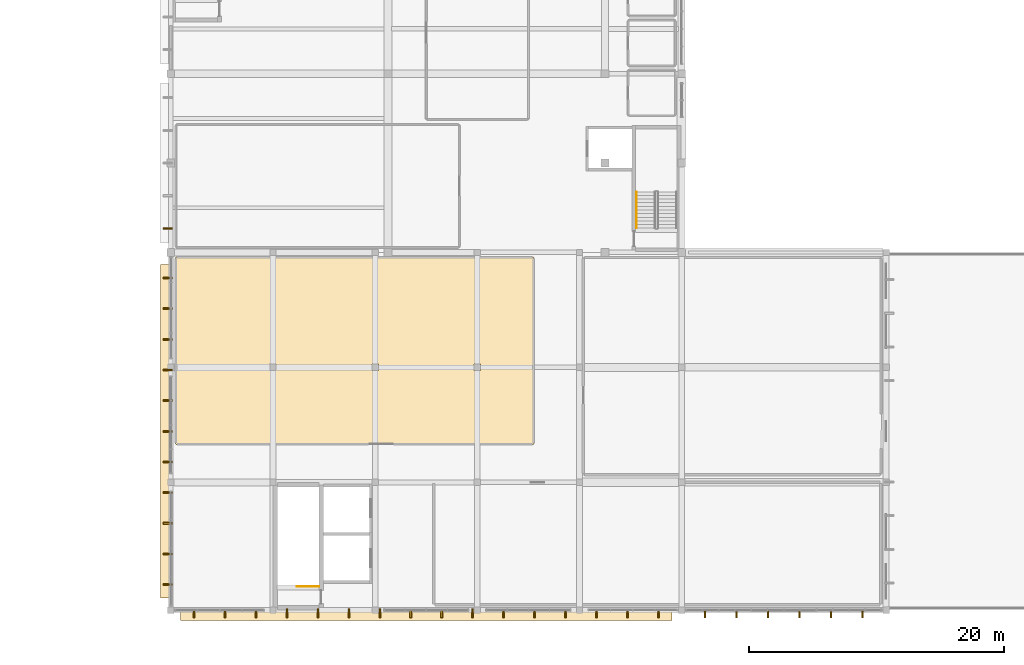
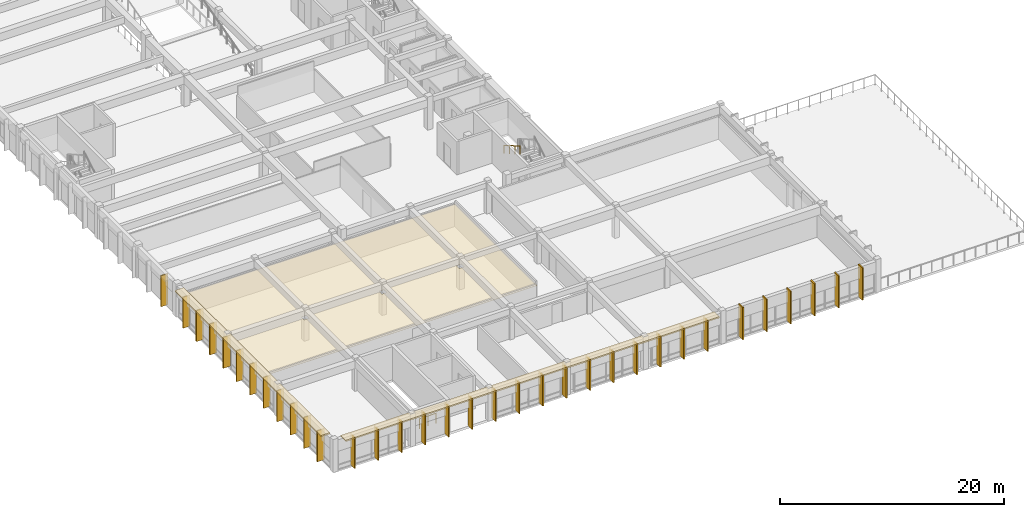
# One storey, part 25 of 33: 37 coverings, 2 railings.
"""IFC4 building model written with IfcOpenShell, lengths in metres."""

from ifc_helpers import new_model, si_unit, direction, frame, origin, origin_2d, place, context, subcontext, project, spatial, polyline, rectangle, circle, outline, extrude, material, layer, layer_set, type_object, element, save


model = new_model("IFC4")

# Units and contexts
model_context = context("Model", 3, precision=1e-05, world=origin(), true_north=direction((0.0, 1.0)))
body_context = subcontext(model_context, "Body", "Model", "MODEL_VIEW")
ifc_project = project(units=[si_unit("LENGTHUNIT", "METRE"), si_unit("AREAUNIT", "SQUARE_METRE"), si_unit("VOLUMEUNIT", "CUBIC_METRE"), si_unit("PLANEANGLEUNIT", "RADIAN"), si_unit("MASSUNIT", "GRAM", prefix="KILO")], contexts=[model_context])

# Site, building, storey
site_placement = place(None, origin())
site = spatial("IfcSite", under=ifc_project, at=site_placement, CompositionType="ELEMENT")
building_placement = place(site_placement, origin())
building = spatial("IfcBuilding", under=site, at=building_placement, Name="Larkveld Mobility Hub", CompositionType="ELEMENT")
storey_placement = place(building_placement, frame((0.0, 0.0, 15.60009765625)))
storey = spatial("IfcBuildingStorey", under=building, at=storey_placement, Name="L04", CompositionType="ELEMENT", Elevation=15.60009765625)

# Coverings
ifc_material_1 = material(Name="Precast concrete C50/60", Category="concrete")
ifc_layer_1 = layer(ifc_material_1, 0.14990234375, Name="Precast concrete C50/60", Category="concrete")
ifc_layer_set_1 = layer_set([ifc_layer_1], Name="Precast concrete C50/60")
covering_type_1 = type_object("IfcCoveringType", Name="COV-QSL-H01", PredefinedType="CLADDING", material=ifc_layer_set_1)
covering_1_placement = place(storey_placement, frame((132.0, -0.340087890625, 3.369873046875), z_axis=(0.0, 0.0, 1.0), x_axis=(1.0, 0.0, 0.0)))
element("IfcCovering", 1, at=covering_1_placement, inside=storey, type_object=covering_type_1, Name="Precast Quebra-Sol Horizontal Sunbreaker QSH-354", PredefinedType="CLADDING", context=body_context, shape_type="SweptSolid", body=[
    extrude(rectangle(XDim=38.5, YDim=0.919921875, at=origin_2d()), origin(), (0.0, 0.0, 1.0), 0.14990234375),
])
covering_2_placement = place(storey_placement, frame((111.659912109375, 14.0, 3.369873046875), z_axis=(0.0, 0.0, 1.0), x_axis=(0.0, -1.0, 0.0)))
element("IfcCovering", 2, at=covering_2_placement, inside=storey, type_object=covering_type_1, Name="Precast Quebra-Sol Horizontal Sunbreaker QSH-385", PredefinedType="CLADDING", context=body_context, shape_type="SweptSolid", body=[
    extrude(rectangle(XDim=26.10009765625, YDim=0.919921875, at=origin_2d()), origin(), (0.0, 0.0, 1.0), 0.14990234375),
])
ifc_layer_2 = layer(ifc_material_1, 0.1201171875, Name="Precast concrete C50/60", Category="concrete")
ifc_layer_set_2 = layer_set([ifc_layer_2], Name="Precast concrete C50/60")
covering_type_2 = type_object("IfcCoveringType", Name="COV-QSL-V01", PredefinedType="CLADDING", material=ifc_layer_set_2)
for number, where, z_axis, x_axis, name in (
    (3, (113.81201171875, -0.239990234375, -0.0205078125), (0.0, 0.0, 1.0), (1.0, 0.0, 0.0), "Precast Quebra-Sol Vertical Fin QSV-355"),
    (4, (116.237060546875, -0.239990234375, -0.0205078125), (0.0, 0.0, 1.0), (1.0, 0.0, 0.0), "Precast Quebra-Sol Vertical Fin QSV-356"),
    (5, (118.662109375, -0.239990234375, -0.0205078125), (0.0, 0.0, 1.0), (1.0, 0.0, 0.0), "Precast Quebra-Sol Vertical Fin QSV-357"),
    (6, (121.0869140625, -0.239990234375, -0.0205078125), (0.0, 0.0, 1.0), (1.0, 0.0, 0.0), "Precast Quebra-Sol Vertical Fin QSV-358"),
    (7, (123.512939453125, -0.239990234375, -0.0205078125), (0.0, 0.0, 1.0), (1.0, 0.0, 0.0), "Precast Quebra-Sol Vertical Fin QSV-359"),
    (8, (125.93798828125, -0.239990234375, -0.0205078125), (0.0, 0.0, 1.0), (1.0, 0.0, 0.0), "Precast Quebra-Sol Vertical Fin QSV-360"),
    (9, (128.363037109375, -0.239990234375, -0.0205078125), (0.0, 0.0, 1.0), (1.0, 0.0, 0.0), "Precast Quebra-Sol Vertical Fin QSV-361"),
    (10, (130.787109375, -0.239990234375, -0.0205078125), (0.0, 0.0, 1.0), (1.0, 0.0, 0.0), "Precast Quebra-Sol Vertical Fin QSV-362"),
    (11, (133.212890625, -0.239990234375, -0.0205078125), (0.0, 0.0, 1.0), (1.0, 0.0, 0.0), "Precast Quebra-Sol Vertical Fin QSV-363"),
    (12, (135.636962890625, -0.239990234375, -0.0205078125), (0.0, 0.0, 1.0), (1.0, 0.0, 0.0), "Precast Quebra-Sol Vertical Fin QSV-364"),
    (13, (138.06201171875, -0.239990234375, -0.0205078125), (0.0, 0.0, 1.0), (1.0, 0.0, 0.0), "Precast Quebra-Sol Vertical Fin QSV-365"),
    (14, (140.488037109375, -0.239990234375, -0.0205078125), (0.0, 0.0, 1.0), (1.0, 0.0, 0.0), "Precast Quebra-Sol Vertical Fin QSV-366"),
    (15, (142.912109375, -0.239990234375, -0.0205078125), (0.0, 0.0, 1.0), (1.0, 0.0, 0.0), "Precast Quebra-Sol Vertical Fin QSV-367"),
    (16, (145.337890625, -0.239990234375, -0.0205078125), (0.0, 0.0, 1.0), (1.0, 0.0, 0.0), "Precast Quebra-Sol Vertical Fin QSV-368"),
    (17, (147.761962890625, -0.239990234375, -0.0205078125), (0.0, 0.0, 1.0), (1.0, 0.0, 0.0), "Precast Quebra-Sol Vertical Fin QSV-369"),
    (18, (150.18798828125, -0.239990234375, -0.0205078125), (0.0, 0.0, 1.0), (1.0, 0.0, 0.0), "Precast Quebra-Sol Vertical Fin QSV-370"),
):
    element("IfcCovering", number, at=place(storey_placement, frame(where, z_axis=z_axis, x_axis=x_axis)), inside=storey, type_object=covering_type_2, Name=name, PredefinedType="CLADDING", context=body_context, shape_type="SweptSolid", body=[
        extrude(rectangle(XDim=0.1201171875, YDim=0.719970703125, at=origin_2d()), origin(), (0.0, 0.0, 1.0), 3.375),
    ])
for number, where, z_axis, x_axis, name in (
    (19, (153.8330078125, -0.239990234375, -0.02001953125), (0.0, 0.0, 1.0), (1.0, 0.0, 0.0), "Precast Quebra-Sol Vertical Fin QSV-371"),
    (20, (156.300048828125, -0.239990234375, -0.02001953125), (0.0, 0.0, 1.0), (1.0, 0.0, 0.0), "Precast Quebra-Sol Vertical Fin QSV-372"),
    (21, (158.76708984375, -0.239990234375, -0.02001953125), (0.0, 0.0, 1.0), (1.0, 0.0, 0.0), "Precast Quebra-Sol Vertical Fin QSV-373"),
    (22, (161.23291015625, -0.239990234375, -0.02001953125), (0.0, 0.0, 1.0), (1.0, 0.0, 0.0), "Precast Quebra-Sol Vertical Fin QSV-374"),
    (23, (163.699951171875, -0.239990234375, -0.02001953125), (0.0, 0.0, 1.0), (1.0, 0.0, 0.0), "Precast Quebra-Sol Vertical Fin QSV-375"),
    (24, (166.1669921875, -0.239990234375, -0.02001953125), (0.0, 0.0, 1.0), (1.0, 0.0, 0.0), "Precast Quebra-Sol Vertical Fin QSV-376"),
):
    element("IfcCovering", number, at=place(storey_placement, frame(where, z_axis=z_axis, x_axis=x_axis)), inside=storey, type_object=covering_type_2, Name=name, PredefinedType="CLADDING", context=body_context, shape_type="SweptSolid", body=[
        extrude(rectangle(XDim=0.1201171875, YDim=0.719970703125, at=origin_2d()), origin(), (0.0, 0.0, 1.0), 3.52001953125),
    ])
for number, where, z_axis, x_axis, name in (
    (25, (111.760009765625, 26.0, -0.0205078125), (0.0, 0.0, 1.0), (0.0, -1.0, 0.0), "Precast Quebra-Sol Vertical Fin QSV-386"),
    (26, (111.760009765625, 23.60009765625, -0.0205078125), (0.0, 0.0, 1.0), (0.0, -1.0, 0.0), "Precast Quebra-Sol Vertical Fin QSV-387"),
    (27, (111.760009765625, 21.199951171875, -0.0205078125), (0.0, 0.0, 1.0), (0.0, -1.0, 0.0), "Precast Quebra-Sol Vertical Fin QSV-388"),
    (28, (111.760009765625, 18.800048828125, -0.0205078125), (0.0, 0.0, 1.0), (0.0, -1.0, 0.0), "Precast Quebra-Sol Vertical Fin QSV-389"),
    (29, (111.760009765625, 16.39990234375, -0.0205078125), (0.0, 0.0, 1.0), (0.0, -1.0, 0.0), "Precast Quebra-Sol Vertical Fin QSV-390"),
    (30, (111.760009765625, 14.0, -0.0205078125), (0.0, 0.0, 1.0), (0.0, -1.0, 0.0), "Precast Quebra-Sol Vertical Fin QSV-391"),
    (31, (111.760009765625, 11.60009765625, -0.0205078125), (0.0, 0.0, 1.0), (0.0, -1.0, 0.0), "Precast Quebra-Sol Vertical Fin QSV-392"),
    (32, (111.760009765625, 9.199951171875, -0.0205078125), (0.0, 0.0, 1.0), (0.0, -1.0, 0.0), "Precast Quebra-Sol Vertical Fin QSV-393"),
    (33, (111.760009765625, 6.800048828125, -0.0205078125), (0.0, 0.0, 1.0), (0.0, -1.0, 0.0), "Precast Quebra-Sol Vertical Fin QSV-394"),
    (34, (111.760009765625, 4.39990234375, -0.0205078125), (0.0, 0.0, 1.0), (0.0, -1.0, 0.0), "Precast Quebra-Sol Vertical Fin QSV-395"),
    (35, (111.760009765625, 2.0, -0.0205078125), (0.0, 0.0, 1.0), (0.0, -1.0, 0.0), "Precast Quebra-Sol Vertical Fin QSV-396"),
    (36, (111.760009765625, 29.8798828125, -0.0205078125), (0.0, 0.0, 1.0), (0.0, -1.0, 0.0), "Precast Quebra-Sol Vertical Fin QSV-550"),
):
    element("IfcCovering", number, at=place(storey_placement, frame(where, z_axis=z_axis, x_axis=x_axis)), inside=storey, type_object=covering_type_2, Name=name, PredefinedType="CLADDING", context=body_context, shape_type="SweptSolid", body=[
        extrude(rectangle(XDim=0.1201171875, YDim=0.719970703125, at=origin_2d()), origin(), (0.0, 0.0, 1.0), 3.375),
    ])
ifc_material_2 = material(Name="Perforated mineral-fibre acoustic ceiling", Category="masonry")
ifc_layer_3 = layer(ifc_material_2, 0.02001953125, Name="Perforated mineral-fibre acoustic ceiling", Category="masonry")
ifc_layer_set_3 = layer_set([ifc_layer_3], Name="Perforated mineral-fibre acoustic ceiling")
covering_type_3 = type_object("IfcCoveringType", Name="CV-CLG-020", PredefinedType="CEILING", material=ifc_layer_set_3)
covering_3_placement = place(storey_placement, frame((0.0, 0.0, 2.329833984375)))
element("IfcCovering", 37, at=covering_3_placement, inside=storey, type_object=covering_type_3, Name="Regional Traffic Incident Command Office Acoustic Ceiling 050", PredefinedType="CEILING", context=body_context, shape_type="SweptSolid", body=[
    extrude(outline(polyline([(112.4169921875, 12.969970703125), (112.4140625, 12.970947265625), (112.410888671875, 12.970947265625), (112.408935546875, 12.971923828125), (112.406005859375, 12.97412109375), (112.403076171875, 12.97509765625), (112.40087890625, 12.97705078125), (112.39892578125, 12.97900390625), (112.37890625, 12.9990234375), (112.376953125, 13.0009765625), (112.375, 13.0029296875), (112.3740234375, 13.006103515625), (112.3720703125, 13.009033203125), (112.37109375, 13.010986328125), (112.37109375, 13.013916015625), (112.3701171875, 13.01708984375), (112.3701171875, 13.02001953125), (112.3701171875, 27.580078125), (112.3701171875, 27.5830078125), (112.37109375, 27.5859375), (112.3720703125, 27.590087890625), (112.373046875, 27.593017578125), (112.3740234375, 27.594970703125), (112.385009765625, 27.613037109375), (112.386962890625, 27.615966796875), (112.388916015625, 27.617919921875), (112.39111328125, 27.6201171875), (112.39306640625, 27.6220703125), (112.39599609375, 27.6240234375), (112.39892578125, 27.625), (112.40087890625, 27.6259765625), (112.404052734375, 27.626953125), (112.406982421875, 27.626953125), (112.410888671875, 27.6279296875), (140.3798828125, 27.6298828125), (140.383056640625, 27.6298828125), (140.385009765625, 27.6298828125), (140.387939453125, 27.62890625), (140.39111328125, 27.6279296875), (140.39306640625, 27.626953125), (140.39501953125, 27.6259765625), (140.4130859375, 27.614990234375), (140.416015625, 27.613037109375), (140.41796875, 27.611083984375), (140.419921875, 27.60888671875), (140.422119140625, 27.60693359375), (140.424072265625, 27.60400390625), (140.425048828125, 27.60107421875), (140.426025390625, 27.59912109375), (140.427001953125, 27.595947265625), (140.427001953125, 27.593017578125), (140.427978515625, 27.589111328125), (140.429931640625, 13.02001953125), (140.429931640625, 13.01708984375), (140.429931640625, 13.014892578125), (140.428955078125, 13.011962890625), (140.427978515625, 13.009033203125), (140.427001953125, 13.007080078125), (140.426025390625, 13.0048828125), (140.4150390625, 12.987060546875), (140.4130859375, 12.98388671875), (140.410888671875, 12.98193359375), (140.408935546875, 12.97998046875), (140.406982421875, 12.97802734375), (140.404052734375, 12.97607421875), (140.40087890625, 12.97509765625), (140.39892578125, 12.97412109375), (140.39599609375, 12.972900390625), (140.39306640625, 12.972900390625), (140.388916015625, 12.971923828125), (112.419921875, 12.969970703125), (112.4169921875, 12.969970703125)]), holes=[polyline([(119.7451171875, 18.7451171875), (120.2548828125, 18.7451171875), (120.2548828125, 19.2548828125), (119.7451171875, 19.2548828125), (119.7451171875, 18.7451171875)]), polyline([(127.7451171875, 19.2548828125), (127.7451171875, 18.7451171875), (128.2548828125, 18.7451171875), (128.2548828125, 19.2548828125), (127.7451171875, 19.2548828125)]), polyline([(135.7451171875, 19.2548828125), (135.7451171875, 18.7451171875), (136.2548828125, 18.7451171875), (136.2548828125, 19.2548828125), (135.7451171875, 19.2548828125)])]), origin(), (0.0, 0.0, 1.0), 0.02001953125),
])

# Railings
ifc_material_3 = material(Name="Galvanized Steel S355JR balustrade", Category="steel")
railing_type_1 = type_object("IfcRailingType", Name="RL-GRD-1100", PredefinedType="GUARDRAIL", material=ifc_material_3)
railing_1_placement = place(storey_placement, frame((123.60009765625, 1.85009765625, 0.0)))
element("IfcRailing", 38, at=railing_1_placement, inside=storey, type_object=railing_type_1, Name="L04 ST4 top well guard 1", PredefinedType="GUARDRAIL", context=body_context, shape_type="SweptSolid", body=[
    extrude(circle(Radius=0.02392578125, at=origin_2d()), frame((0.0, 0.0, 1.076171875), z_axis=(-1.0, 0.0, 0.0), x_axis=(0.0, -1.0, 0.0)), (0.0, 0.0, 1.0), 1.7001953125),
    extrude(circle(Radius=0.02099609375, at=origin_2d()), origin(), (0.0, 0.0, 1.0), 1.052001953125),
    extrude(circle(Radius=0.02099609375, at=origin_2d()), frame((-0.85009765625, 0.0, 0.0)), (0.0, 0.0, 1.0), 1.052001953125),
    extrude(circle(Radius=0.02099609375, at=origin_2d()), frame((-1.7001953125, 0.0, 0.0)), (0.0, 0.0, 1.0), 1.052001953125),
])
ifc_material_4 = material(Name="Brushed Steel S355JR tubular handrail", Category="steel")
railing_type_2 = type_object("IfcRailingType", Name="RL-HND-0900", PredefinedType="HANDRAIL", material=ifc_material_4)
railing_2_placement = place(storey_placement, frame((148.449951171875, 32.75, 1.963623046875)))
element("IfcRailing", 39, at=railing_2_placement, inside=storey, type_object=railing_type_2, Name="L04 ST1 stair handrail 2", PredefinedType="HANDRAIL", context=body_context, shape_type="SweptSolid", body=[
    extrude(circle(Radius=0.02392578125, at=origin_2d()), frame((0.0, 0.0, 0.8759765625), z_axis=(0.0, -0.867244780686, 0.497882004468), x_axis=(1.0, 0.0, 0.0)), (0.0, 0.0, 1.0), 3.286376953125),
    extrude(circle(Radius=0.02099609375, at=origin_2d()), origin(), (0.0, 0.0, 1.0), 0.851806640625),
    extrude(circle(Radius=0.02099609375, at=origin_2d()), frame((0.0, -0.949951171875, 0.54541015625)), (0.0, 0.0, 1.0), 0.851806640625),
    extrude(circle(Radius=0.02099609375, at=origin_2d()), frame((0.0, -1.900146484375, 1.0908203125)), (0.0, 0.0, 1.0), 0.851806640625),
    extrude(circle(Radius=0.02099609375, at=origin_2d()), frame((0.0, -2.85009765625, 1.63623046875)), (0.0, 0.0, 1.0), 0.851806640625),
])

save(model, "model.ifc")
